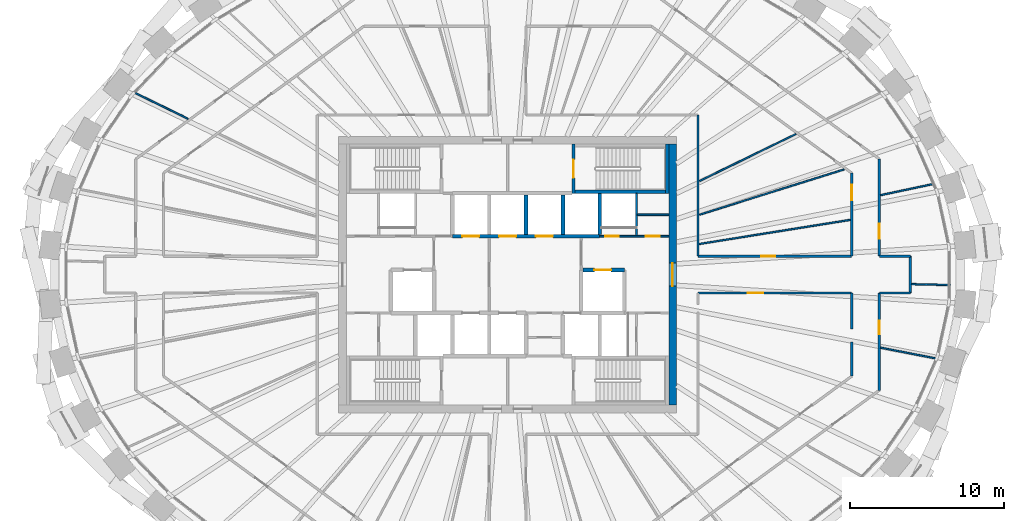
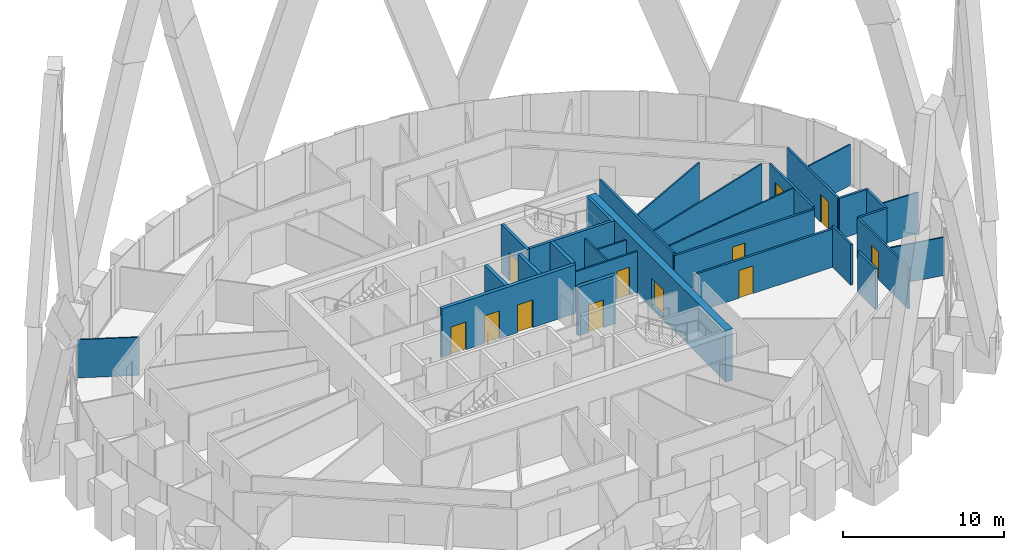
# One storey, part 10 of 13: 30 walls, 13 doors, 13 openings.
"""IFC4 building model written with IfcOpenShell, lengths in metres."""

from ifc_helpers import new_model, si_unit, direction, frame, frame_2d, origin, place, context, subcontext, project, spatial, rectangle, extrude, source, transform, mapped, material, layer, layer_set, type_object, element, fill, save


model = new_model("IFC4")

# Units and contexts
model_context = context("Model", 3, precision=1e-05, world=origin(), true_north=direction((0.0, 1.0)))
body_context = subcontext(model_context, "Body", "Model", "MODEL_VIEW")
ifc_project = project(units=[si_unit("LENGTHUNIT", "METRE"), si_unit("AREAUNIT", "SQUARE_METRE"), si_unit("VOLUMEUNIT", "CUBIC_METRE"), si_unit("PLANEANGLEUNIT", "RADIAN"), si_unit("MASSUNIT", "GRAM", prefix="KILO")], contexts=[model_context])

# Site, building, storey
site_placement = place(None, origin())
site = spatial("IfcSite", under=ifc_project, at=site_placement, CompositionType="ELEMENT")
building_placement = place(site_placement, origin())
building = spatial("IfcBuilding", under=site, at=building_placement, Name="Embergate Tower", CompositionType="ELEMENT")
storey_placement = place(building_placement, frame((0.0, 0.0, 316.89990234375)))
storey = spatial("IfcBuildingStorey", under=building, at=storey_placement, Name="L74", CompositionType="ELEMENT", Elevation=316.89990234375)

# Wall, opening, door
ifc_material_1 = material(Name="Concrete C50", Category="concrete")
ifc_layer_1 = layer(ifc_material_1, 0.5)
ifc_layer_set_1 = layer_set([ifc_layer_1], Name="Concrete C50")
wall_type_1 = type_object("IfcWallType", Name="Core outer wall C50 500", PredefinedType="SHEAR", material=ifc_layer_set_1)
shared_shape_1 = source(origin(), body_context, "Body", "SweptSolid", [
    extrude(rectangle(XDim=17.0, YDim=0.5, at=frame_2d((8.5, 0.0))), origin(), (0.0, 0.0, 1.0), 3.900146484375),
])
wall_1_placement = place(storey_placement, frame((10.75, -8.5, -0.199951171875), z_axis=(0.0, 0.0, 1.0), x_axis=(0.0, 1.0, 0.0)))
wall_1 = element("IfcWall", 1, at=wall_1_placement, inside=storey, type_object=wall_type_1, Name="CW-L74-E", PredefinedType="SHEAR", context=body_context, shape_type="MappedRepresentation", body=[
    mapped(shared_shape_1, transform((0.0, 0.0, 0.0))),
])
shared_shape_2 = source(origin(), body_context, "Body", "SweptSolid", [
    extrude(rectangle(XDim=1.5, YDim=2.10009765625, at=frame_2d((0.75, 1.050048828125))), frame((0.0, 0.260009765625, 0.0), z_axis=(0.0, -1.0, 0.0), x_axis=(1.0, 0.0, 0.0)), (0.0, 0.0, 1.0), 0.52001953125),
])
opening_1_placement = place(wall_1_placement, frame((7.75, 0.0, 0.199951171875)))
opening_1 = element("IfcOpeningElement", 2, at=opening_1_placement, cuts=wall_1, Name="Opening IF-3", PredefinedType="OPENING", context=body_context, shape_type="MappedRepresentation", body=[
    mapped(shared_shape_2, transform((0.0, 0.0, 0.0))),
])
ifc_material_2 = material(Name="Lobby fire door pair 1500")
door_type_1 = type_object("IfcDoorType", Name="Lobby fire door pair 1500", OperationType="DOUBLE_DOOR_SINGLE_SWING", PredefinedType="DOOR", material=ifc_material_2)
shared_shape_3 = source(origin(), body_context, "Body", "SweptSolid", [
    extrude(rectangle(XDim=1.5, YDim=2.10009765625, at=frame_2d((0.75, 1.050048828125))), frame((0.0, 0.02490234375, 0.0), z_axis=(0.0, -1.0, 0.0), x_axis=(1.0, 0.0, 0.0)), (0.0, 0.0, 1.0), 0.050048828125),
])
door_1_placement = place(opening_1_placement, origin())
door_1 = element("IfcDoor", 3, at=door_1_placement, inside=storey, type_object=door_type_1, Name="IF-3 door", OperationType="DOUBLE_DOOR_SINGLE_SWING", OverallHeight=2.10009765625, OverallWidth=1.5, PredefinedType="DOOR", context=body_context, shape_type="MappedRepresentation", body=[
    mapped(shared_shape_3, transform((0.0, 0.0, 0.0))),
])
fill(opening_1, door_1)

# Wall
ifc_layer_2 = layer(ifc_material_1, 0.25)
ifc_layer_set_2 = layer_set([ifc_layer_2], Name="Concrete C50")
wall_type_2 = type_object("IfcWallType", Name="Hoistway wall reinforced concrete 250", PredefinedType="SHEAR", material=ifc_layer_set_2)
shared_shape_4 = source(origin(), body_context, "Body", "SweptSolid", [
    extrude(rectangle(XDim=2.675048828125, YDim=0.25, at=frame_2d((1.33740234375, 0.0))), origin(), (0.0, 0.0, 1.0), 3.7001953125),
])
wall_2_placement = place(storey_placement, frame((6.0, 2.625, 0.0), z_axis=(0.0, 0.0, 1.0), x_axis=(0.0, 1.0, 0.0)))
element("IfcWall", 4, at=wall_2_placement, inside=storey, type_object=wall_type_2, Name="HW-1 wall", PredefinedType="SHEAR", context=body_context, shape_type="MappedRepresentation", body=[
    mapped(shared_shape_4, transform((0.0, 0.0, 0.0))),
])

# Wall, opening, door
wall_3_placement = place(storey_placement, frame((7.60009765625, 0.300048828125, 0.0), z_axis=(0.0, 0.0, 1.0), x_axis=(-1.0, 0.0, 0.0)))
wall_3 = element("IfcWall", 5, at=wall_3_placement, inside=storey, type_object=wall_type_2, Name="HW-1 wall", PredefinedType="SHEAR", context=body_context, shape_type="MappedRepresentation", body=[
    mapped(shared_shape_4, transform((0.0, 0.0, 0.0))),
])
shared_shape_5 = source(origin(), body_context, "Body", "SweptSolid", [
    extrude(rectangle(XDim=1.10009765625, YDim=2.10009765625, at=frame_2d((0.550048828125, 1.050048828125))), frame((0.0, 0.135009765625, 0.0), z_axis=(0.0, -1.0, 0.0), x_axis=(1.0, 0.0, 0.0)), (0.0, 0.0, 1.0), 0.27001953125),
])
opening_2_placement = place(wall_3_placement, frame((0.85009765625, 0.0, 0.0)))
opening_2 = element("IfcOpeningElement", 6, at=opening_2_placement, cuts=wall_3, Name="Opening LD", PredefinedType="OPENING", context=body_context, shape_type="MappedRepresentation", body=[
    mapped(shared_shape_5, transform((0.0, 0.0, 0.0))),
])
ifc_material_3 = material(Name="Landing door sliding 1100")
door_type_2 = type_object("IfcDoorType", Name="Landing door sliding 1100", OperationType="SLIDING_TO_LEFT", PredefinedType="DOOR", material=ifc_material_3)
shared_shape_6 = source(origin(), body_context, "Body", "SweptSolid", [
    extrude(rectangle(XDim=1.10009765625, YDim=2.10009765625, at=frame_2d((0.550048828125, 1.050048828125))), frame((0.0, 0.02490234375, 0.0), z_axis=(0.0, -1.0, 0.0), x_axis=(1.0, 0.0, 0.0)), (0.0, 0.0, 1.0), 0.050048828125),
])
door_2_placement = place(opening_2_placement, origin())
door_2 = element("IfcDoor", 7, at=door_2_placement, inside=storey, type_object=door_type_2, Name="LD door", OperationType="SLIDING_TO_LEFT", OverallHeight=2.10009765625, OverallWidth=1.10009765625, PredefinedType="DOOR", context=body_context, shape_type="MappedRepresentation", body=[
    mapped(shared_shape_6, transform((0.0, 0.0, 0.0))),
])
fill(opening_2, door_2)

# Walls
ifc_layer_3 = layer(ifc_material_1, 0.199951171875)
ifc_layer_set_3 = layer_set([ifc_layer_3], Name="Concrete C50")
wall_type_3 = type_object("IfcWallType", Name="Stair enclosure wall reinforced concrete 250", PredefinedType="SHEAR", material=ifc_layer_set_3)
shared_shape_7 = source(origin(), body_context, "Body", "SweptSolid", [
    extrude(rectangle(XDim=6.300048828125, YDim=0.199951171875, at=frame_2d((3.14990234375, 0.0))), origin(), (0.0, 0.0, 1.0), 3.7001953125),
])
wall_4_placement = place(storey_placement, frame((10.5, 5.39990234375, 0.0), z_axis=(0.0, 0.0, 1.0), x_axis=(-1.0, 0.0, 0.0)))
element("IfcWall", 8, at=wall_4_placement, inside=storey, type_object=wall_type_3, Name="SE-1 wall", PredefinedType="SHEAR", context=body_context, shape_type="MappedRepresentation", body=[
    mapped(shared_shape_7, transform((0.0, 0.0, 0.0))),
])
shared_shape_8 = source(origin(), body_context, "Body", "SweptSolid", [
    extrude(rectangle(XDim=2.550048828125, YDim=0.25, at=frame_2d((1.27490234375, 0.0))), origin(), (0.0, 0.0, 1.0), 3.7001953125),
])
for number, where, z_axis, x_axis, name in (
    (9, (1.199951171875, 2.625, 0.0), (0.0, 0.0, 1.0), (0.0, 1.0, 0.0), "HW-1 wall"),
    (10, (3.60009765625, 2.625, 0.0), (0.0, 0.0, 1.0), (0.0, 1.0, 0.0), "HW-1 wall"),
):
    element("IfcWall", number, at=place(storey_placement, frame(where, z_axis=z_axis, x_axis=x_axis)), inside=storey, type_object=wall_type_2, Name=name, PredefinedType="SHEAR", context=body_context, shape_type="MappedRepresentation", body=[
        mapped(shared_shape_8, transform((0.0, 0.0, 0.0))),
    ])

# Wall, opening, door
shared_shape_9 = source(origin(), body_context, "Body", "SweptSolid", [
    extrude(rectangle(XDim=3.199951171875, YDim=0.199951171875, at=frame_2d((1.60009765625, 0.0))), origin(), (0.0, 0.0, 1.0), 3.7001953125),
])
wall_5_placement = place(storey_placement, frame((4.300048828125, 8.5, 0.0), z_axis=(0.0, 0.0, 1.0), x_axis=(0.0, -1.0, 0.0)))
wall_5 = element("IfcWall", 11, at=wall_5_placement, inside=storey, type_object=wall_type_3, Name="SE-1 wall", PredefinedType="SHEAR", context=body_context, shape_type="MappedRepresentation", body=[
    mapped(shared_shape_9, transform((0.0, 0.0, 0.0))),
])
shared_shape_10 = source(origin(), body_context, "Body", "SweptSolid", [
    extrude(rectangle(XDim=1.199951171875, YDim=2.10009765625, at=frame_2d((0.60009765625, 1.050048828125))), frame((0.0, 0.10986328125, 0.0), z_axis=(0.0, -1.0, 0.0), x_axis=(1.0, 0.0, 0.0)), (0.0, 0.0, 1.0), 0.219970703125),
])
opening_3_placement = place(wall_5_placement, frame((1.0, 0.0, 0.0)))
opening_3 = element("IfcOpeningElement", 12, at=opening_3_placement, cuts=wall_5, Name="Opening IF-2", PredefinedType="OPENING", context=body_context, shape_type="MappedRepresentation", body=[
    mapped(shared_shape_10, transform((0.0, 0.0, 0.0))),
])
ifc_material_4 = material(Name="Stair enclosure door 1200")
door_type_3 = type_object("IfcDoorType", Name="Stair enclosure door 1200", OperationType="SINGLE_SWING_LEFT", PredefinedType="DOOR", material=ifc_material_4)
shared_shape_11 = source(origin(), body_context, "Body", "SweptSolid", [
    extrude(rectangle(XDim=1.199951171875, YDim=2.10009765625, at=frame_2d((0.60009765625, 1.050048828125))), frame((0.0, 0.02490234375, 0.0), z_axis=(0.0, -1.0, 0.0), x_axis=(1.0, 0.0, 0.0)), (0.0, 0.0, 1.0), 0.050048828125),
])
door_3_placement = place(opening_3_placement, origin())
door_3 = element("IfcDoor", 13, at=door_3_placement, inside=storey, type_object=door_type_3, Name="IF-2 door", OperationType="SINGLE_SWING_RIGHT", OverallHeight=2.10009765625, OverallWidth=1.199951171875, PredefinedType="DOOR", context=body_context, shape_type="MappedRepresentation", body=[
    mapped(shared_shape_11, transform((0.0, 0.0, 0.0))),
])
fill(opening_3, door_3)

# Walls
wall_6_placement = place(storey_placement, frame((10.39990234375, 5.300048828125, 0.0), z_axis=(0.0, 0.0, 1.0), x_axis=(0.0, 1.0, 0.0)))
element("IfcWall", 14, at=wall_6_placement, inside=storey, type_object=wall_type_3, Name="SE-1 wall", PredefinedType="SHEAR", context=body_context, shape_type="MappedRepresentation", body=[
    mapped(shared_shape_9, transform((0.0, 0.0, 0.0))),
])
ifc_material_5 = material(Name="Corridor wall dry-lined 150")
ifc_layer_4 = layer(ifc_material_5, 0.14990234375)
ifc_layer_set_4 = layer_set([ifc_layer_4], Name="Corridor wall dry-lined 150")
wall_type_4 = type_object("IfcWallType", Name="Corridor wall dry-lined 150", PredefinedType="PARTITIONING", material=ifc_layer_set_4)
shared_shape_12 = source(origin(), body_context, "Body", "SweptSolid", [
    extrude(rectangle(XDim=9.199951171875, YDim=0.14990234375, at=frame_2d((4.60009765625, 0.0))), origin(), (0.0, 0.0, 1.0), 3.10009765625),
])
wall_7_placement = place(storey_placement, frame((12.39990234375, 10.39990234375, 0.0), z_axis=(0.0, 0.0, 1.0), x_axis=(0.0, -1.0, 0.0)))
element("IfcWall", 15, at=wall_7_placement, inside=storey, type_object=wall_type_4, Name="IP-2 wall", PredefinedType="PARTITIONING", context=body_context, shape_type="MappedRepresentation", body=[
    mapped(shared_shape_12, transform((0.0, 0.0, 0.0))),
])
shared_shape_13 = source(origin(), body_context, "Body", "SweptSolid", [
    extrude(rectangle(XDim=2.39990234375, YDim=0.14990234375, at=frame_2d((1.199951171875, 0.0))), origin(), (0.0, 0.0, 1.0), 3.10009765625),
])
wall_8_placement = place(storey_placement, frame((26.238037109375, 1.199951171875, 0.0), z_axis=(0.0, 0.0, 1.0), x_axis=(0.0, -1.0, 0.0)))
element("IfcWall", 16, at=wall_8_placement, inside=storey, type_object=wall_type_4, Name="IP-2 wall", PredefinedType="PARTITIONING", context=body_context, shape_type="MappedRepresentation", body=[
    mapped(shared_shape_13, transform((0.0, 0.0, 0.0))),
])

# Wall, openings, doors
ifc_material_6 = material(Name="Core partition blockwork 120")
ifc_layer_5 = layer(ifc_material_6, 0.1201171875)
ifc_layer_set_5 = layer_set([ifc_layer_5], Name="Core partition blockwork 120")
wall_type_5 = type_object("IfcWallType", Name="Core partition blockwork 120", PredefinedType="PARTITIONING", material=ifc_layer_set_5)
shared_shape_14 = source(origin(), body_context, "Body", "SweptSolid", [
    extrude(rectangle(XDim=4.5, YDim=0.1201171875, at=frame_2d((2.25, 0.0))), origin(), (0.0, 0.0, 1.0), 3.10009765625),
])
wall_9_placement = place(storey_placement, frame((6.0, 2.5, 0.0), z_axis=(0.0, 0.0, 1.0), x_axis=(1.0, 0.0, 0.0)))
wall_9 = element("IfcWall", 17, at=wall_9_placement, inside=storey, type_object=wall_type_5, Name="IP-3 wall", PredefinedType="PARTITIONING", context=body_context, shape_type="MappedRepresentation", body=[
    mapped(shared_shape_14, transform((0.0, 0.0, 0.0))),
])
shared_shape_15 = source(origin(), body_context, "Body", "SweptSolid", [
    extrude(rectangle(XDim=0.89990234375, YDim=2.10009765625, at=frame_2d((0.449951171875, 1.050048828125))), frame((0.0, 0.070068359375, 0.0), z_axis=(0.0, -1.0, 0.0), x_axis=(1.0, 0.0, 0.0)), (0.0, 0.0, 1.0), 0.14013671875),
])
opening_4_placement = place(wall_9_placement, frame((0.35009765625, 0.0, 0.0)))
opening_4 = element("IfcOpeningElement", 18, at=opening_4_placement, cuts=wall_9, Name="Opening ID-1", PredefinedType="OPENING", context=body_context, shape_type="MappedRepresentation", body=[
    mapped(shared_shape_15, transform((0.0, 0.0, 0.0))),
])
opening_5_placement = place(wall_9_placement, frame((3.0, 0.0, 0.0)))
opening_5 = element("IfcOpeningElement", 19, at=opening_5_placement, cuts=wall_9, Name="Opening ID-1", PredefinedType="OPENING", context=body_context, shape_type="MappedRepresentation", body=[
    mapped(shared_shape_15, transform((0.0, 0.0, 0.0))),
])
ifc_material_7 = material(Name="Interior door 900")
door_type_4 = type_object("IfcDoorType", Name="Interior door 900", OperationType="SINGLE_SWING_LEFT", PredefinedType="DOOR", material=ifc_material_7)
shared_shape_16 = source(origin(), body_context, "Body", "SweptSolid", [
    extrude(rectangle(XDim=0.89990234375, YDim=2.10009765625, at=frame_2d((0.449951171875, 1.050048828125))), frame((0.0, 0.02490234375, 0.0), z_axis=(0.0, -1.0, 0.0), x_axis=(1.0, 0.0, 0.0)), (0.0, 0.0, 1.0), 0.050048828125),
])
door_4_placement = place(opening_4_placement, origin())
door_4 = element("IfcDoor", 20, at=door_4_placement, inside=storey, type_object=door_type_4, Name="ID-1 door", OperationType="SINGLE_SWING_RIGHT", OverallHeight=2.10009765625, OverallWidth=0.89990234375, PredefinedType="DOOR", context=body_context, shape_type="MappedRepresentation", body=[
    mapped(shared_shape_16, transform((0.0, 0.0, 0.0))),
])
fill(opening_4, door_4)
door_5_placement = place(opening_5_placement, origin())
door_5 = element("IfcDoor", 21, at=door_5_placement, inside=storey, type_object=door_type_4, Name="ID-1 door", OperationType="SINGLE_SWING_RIGHT", OverallHeight=2.10009765625, OverallWidth=0.89990234375, PredefinedType="DOOR", context=body_context, shape_type="MappedRepresentation", body=[
    mapped(shared_shape_16, transform((0.0, 0.0, 0.0))),
])
fill(opening_5, door_5)

# Walls
shared_shape_17 = source(origin(), body_context, "Body", "SweptSolid", [
    extrude(rectangle(XDim=2.738037109375, YDim=0.1201171875, at=frame_2d((1.369140625, 0.0))), origin(), (0.0, 0.0, 1.0), 3.10009765625),
])
wall_10_placement = place(storey_placement, frame((8.39990234375, 2.56005859375, 0.0), z_axis=(0.0, 0.0, 1.0), x_axis=(0.0, 1.0, 0.0)))
element("IfcWall", 22, at=wall_10_placement, inside=storey, type_object=wall_type_5, Name="IP-3 wall", PredefinedType="PARTITIONING", context=body_context, shape_type="MappedRepresentation", body=[
    mapped(shared_shape_17, transform((0.0, 0.0, 0.0))),
])
shared_shape_18 = source(origin(), body_context, "Body", "SweptSolid", [
    extrude(rectangle(XDim=2.0380859375, YDim=0.1201171875, at=frame_2d((1.01904296875, 0.0))), origin(), (0.0, 0.0, 1.0), 3.10009765625),
])
wall_11_placement = place(storey_placement, frame((10.5, 3.89990234375, 0.0), z_axis=(0.0, 0.0, 1.0), x_axis=(-1.0, 0.0, 0.0)))
element("IfcWall", 23, at=wall_11_placement, inside=storey, type_object=wall_type_5, Name="IP-3 wall", PredefinedType="PARTITIONING", context=body_context, shape_type="MappedRepresentation", body=[
    mapped(shared_shape_18, transform((0.0, 0.0, 0.0))),
])

# Wall, openings, doors
shared_shape_19 = source(origin(), body_context, "Body", "SweptSolid", [
    extrude(rectangle(XDim=9.60009765625, YDim=0.25, at=frame_2d((4.800048828125, 0.0))), origin(), (0.0, 0.0, 1.0), 3.7001953125),
])
wall_12_placement = place(storey_placement, frame((-3.60009765625, 2.5, 0.0), z_axis=(0.0, 0.0, 1.0), x_axis=(1.0, 0.0, 0.0)))
wall_12 = element("IfcWall", 24, at=wall_12_placement, inside=storey, type_object=wall_type_2, Name="HW-1 wall", PredefinedType="SHEAR", context=body_context, shape_type="MappedRepresentation", body=[
    mapped(shared_shape_19, transform((0.0, 0.0, 0.0))),
])
opening_6_placement = place(wall_12_placement, frame((0.64990234375, 0.0, 0.0)))
opening_6 = element("IfcOpeningElement", 25, at=opening_6_placement, cuts=wall_12, Name="Opening LD", PredefinedType="OPENING", context=body_context, shape_type="MappedRepresentation", body=[
    mapped(shared_shape_5, transform((0.0, 0.0, 0.0))),
])
opening_7_placement = place(wall_12_placement, frame((3.050048828125, 0.0, 0.0)))
opening_7 = element("IfcOpeningElement", 26, at=opening_7_placement, cuts=wall_12, Name="Opening LD", PredefinedType="OPENING", context=body_context, shape_type="MappedRepresentation", body=[
    mapped(shared_shape_5, transform((0.0, 0.0, 0.0))),
])
opening_8_placement = place(wall_12_placement, frame((5.449951171875, 0.0, 0.0)))
opening_8 = element("IfcOpeningElement", 27, at=opening_8_placement, cuts=wall_12, Name="Opening LD", PredefinedType="OPENING", context=body_context, shape_type="MappedRepresentation", body=[
    mapped(shared_shape_5, transform((0.0, 0.0, 0.0))),
])
door_6_placement = place(opening_6_placement, origin())
door_6 = element("IfcDoor", 28, at=door_6_placement, inside=storey, type_object=door_type_2, Name="LD door", OperationType="SLIDING_TO_LEFT", OverallHeight=2.10009765625, OverallWidth=1.10009765625, PredefinedType="DOOR", context=body_context, shape_type="MappedRepresentation", body=[
    mapped(shared_shape_6, transform((0.0, 0.0, 0.0))),
])
fill(opening_6, door_6)
door_7_placement = place(opening_7_placement, origin())
door_7 = element("IfcDoor", 29, at=door_7_placement, inside=storey, type_object=door_type_2, Name="LD door", OperationType="SLIDING_TO_LEFT", OverallHeight=2.10009765625, OverallWidth=1.10009765625, PredefinedType="DOOR", context=body_context, shape_type="MappedRepresentation", body=[
    mapped(shared_shape_6, transform((0.0, 0.0, 0.0))),
])
fill(opening_7, door_7)
door_8_placement = place(opening_8_placement, origin())
door_8 = element("IfcDoor", 30, at=door_8_placement, inside=storey, type_object=door_type_2, Name="LD door", OperationType="SLIDING_TO_RIGHT", OverallHeight=2.10009765625, OverallWidth=1.10009765625, PredefinedType="DOOR", context=body_context, shape_type="MappedRepresentation", body=[
    mapped(shared_shape_6, transform((0.0, 0.0, 0.0))),
])
fill(opening_8, door_8)

# Wall, opening, door
shared_shape_20 = source(origin(), body_context, "Body", "SweptSolid", [
    extrude(rectangle(XDim=6.3330078125, YDim=0.14990234375, at=frame_2d((3.16650390625, 0.0))), origin(), (0.0, 0.0, 1.0), 3.10009765625),
])
wall_13_placement = place(storey_placement, frame((24.217041015625, -1.199951171875, 0.0), z_axis=(0.0, 0.0, 1.0), x_axis=(0.0, -1.0, 0.0)))
wall_13 = element("IfcWall", 31, at=wall_13_placement, inside=storey, type_object=wall_type_4, Name="IP-2 wall", PredefinedType="PARTITIONING", context=body_context, shape_type="MappedRepresentation", body=[
    mapped(shared_shape_20, transform((0.0, 0.0, 0.0))),
])
shared_shape_21 = source(origin(), body_context, "Body", "SweptSolid", [
    extrude(rectangle(XDim=0.89990234375, YDim=2.10009765625, at=frame_2d((0.449951171875, 1.050048828125))), frame((0.0, 0.0849609375, 0.0), z_axis=(0.0, -1.0, 0.0), x_axis=(1.0, 0.0, 0.0)), (0.0, 0.0, 1.0), 0.169921875),
])
opening_9_placement = place(wall_13_placement, frame((1.7890625, 0.0, 0.0)))
opening_9 = element("IfcOpeningElement", 32, at=opening_9_placement, cuts=wall_13, Name="Opening IF-1c", PredefinedType="OPENING", context=body_context, shape_type="MappedRepresentation", body=[
    mapped(shared_shape_21, transform((0.0, 0.0, 0.0))),
])
ifc_material_8 = material(Name="Escape fire door 900")
door_type_5 = type_object("IfcDoorType", Name="Escape fire door 900", OperationType="SINGLE_SWING_LEFT", PredefinedType="DOOR", material=ifc_material_8)
door_9_placement = place(opening_9_placement, origin())
door_9 = element("IfcDoor", 33, at=door_9_placement, inside=storey, type_object=door_type_5, Name="IF-1 door", OperationType="SINGLE_SWING_LEFT", OverallHeight=2.10009765625, OverallWidth=0.89990234375, PredefinedType="DOOR", context=body_context, shape_type="MappedRepresentation", body=[
    mapped(shared_shape_16, transform((0.0, 0.0, 0.0))),
])
fill(opening_9, door_9)

wall_14_placement = place(storey_placement, frame((24.217041015625, 7.532958984375, 0.0), z_axis=(0.0, 0.0, 1.0), x_axis=(0.0, -1.0, 0.0)))
wall_14 = element("IfcWall", 34, at=wall_14_placement, inside=storey, type_object=wall_type_4, Name="IP-2 wall", PredefinedType="PARTITIONING", context=body_context, shape_type="MappedRepresentation", body=[
    mapped(shared_shape_20, transform((0.0, 0.0, 0.0))),
])
shared_shape_22 = source(origin(), body_context, "Body", "SweptSolid", [
    extrude(rectangle(XDim=1.0, YDim=2.10009765625, at=frame_2d((0.5, 1.050048828125))), frame((0.0, 0.0849609375, 0.0), z_axis=(0.0, -1.0, 0.0), x_axis=(1.0, 0.0, 0.0)), (0.0, 0.0, 1.0), 0.169921875),
])
opening_10_placement = place(wall_14_placement, frame((4.20751953125, 0.0, 0.0)))
opening_10 = element("IfcOpeningElement", 35, at=opening_10_placement, cuts=wall_14, Name="Opening ID-2", PredefinedType="OPENING", context=body_context, shape_type="MappedRepresentation", body=[
    mapped(shared_shape_22, transform((0.0, 0.0, 0.0))),
])
ifc_material_9 = material(Name="Interior door 1000")
door_type_6 = type_object("IfcDoorType", Name="Interior door 1000", OperationType="SINGLE_SWING_LEFT", PredefinedType="DOOR", material=ifc_material_9)
shared_shape_23 = source(origin(), body_context, "Body", "SweptSolid", [
    extrude(rectangle(XDim=1.0, YDim=2.10009765625, at=frame_2d((0.5, 1.050048828125))), frame((0.0, 0.02490234375, 0.0), z_axis=(0.0, -1.0, 0.0), x_axis=(1.0, 0.0, 0.0)), (0.0, 0.0, 1.0), 0.050048828125),
])
door_10_placement = place(opening_10_placement, origin())
door_10 = element("IfcDoor", 36, at=door_10_placement, inside=storey, type_object=door_type_6, Name="ID-2 door", OperationType="SINGLE_SWING_LEFT", OverallHeight=2.10009765625, OverallWidth=1.0, PredefinedType="DOOR", context=body_context, shape_type="MappedRepresentation", body=[
    mapped(shared_shape_23, transform((0.0, 0.0, 0.0))),
])
fill(opening_10, door_10)

shared_shape_24 = source(origin(), body_context, "Body", "SweptSolid", [
    extrude(rectangle(XDim=5.420166015625, YDim=0.14990234375, at=frame_2d((2.7099609375, 0.0))), origin(), (0.0, 0.0, 1.0), 3.10009765625),
])
wall_15_placement = place(storey_placement, frame((22.4169921875, 1.199951171875, 0.0), z_axis=(0.0, 0.0, 1.0), x_axis=(0.0, 1.0, 0.0)))
wall_15 = element("IfcWall", 37, at=wall_15_placement, inside=storey, type_object=wall_type_4, Name="IP-2 wall", PredefinedType="PARTITIONING", context=body_context, shape_type="MappedRepresentation", body=[
    mapped(shared_shape_24, transform((0.0, 0.0, 0.0))),
])
opening_11_placement = place(wall_15_placement, frame((3.658935546875, 0.0, 0.0)))
opening_11 = element("IfcOpeningElement", 38, at=opening_11_placement, cuts=wall_15, Name="Opening ID-2", PredefinedType="OPENING", context=body_context, shape_type="MappedRepresentation", body=[
    mapped(shared_shape_22, transform((0.0, 0.0, 0.0))),
])
door_11_placement = place(opening_11_placement, origin())
door_11 = element("IfcDoor", 39, at=door_11_placement, inside=storey, type_object=door_type_6, Name="ID-2 door", OperationType="SINGLE_SWING_LEFT", OverallHeight=2.10009765625, OverallWidth=1.0, PredefinedType="DOOR", context=body_context, shape_type="MappedRepresentation", body=[
    mapped(shared_shape_23, transform((0.0, 0.0, 0.0))),
])
fill(opening_11, door_11)

# Walls
shared_shape_25 = source(origin(), body_context, "Body", "SweptSolid", [
    extrude(rectangle(XDim=2.232177734375, YDim=0.14990234375, at=frame_2d((1.1162109375, 0.0))), origin(), (0.0, 0.0, 1.0), 3.10009765625),
])
wall_16_placement = place(storey_placement, frame((22.4169921875, -6.6201171875, 0.0), z_axis=(0.0, 0.0, 1.0), x_axis=(0.0, 1.0, 0.0)))
element("IfcWall", 40, at=wall_16_placement, inside=storey, type_object=wall_type_4, Name="IP-2 wall", PredefinedType="PARTITIONING", context=body_context, shape_type="MappedRepresentation", body=[
    mapped(shared_shape_25, transform((0.0, 0.0, 0.0))),
])
shared_shape_26 = source(origin(), body_context, "Body", "SweptSolid", [
    extrude(rectangle(XDim=2.02099609375, YDim=0.14990234375, at=frame_2d((1.010498046875, 0.0))), origin(), (0.0, 0.0, 1.0), 3.10009765625),
])
for number, where, z_axis, x_axis, name in (
    (41, (26.238037109375, -1.199951171875, 0.0), (0.0, 0.0, 1.0), (-1.0, 0.0, 0.0), "IP-2 wall"),
    (42, (24.217041015625, 1.199951171875, 0.0), (0.0, 0.0, 1.0), (1.0, 0.0, 0.0), "IP-2 wall"),
):
    element("IfcWall", number, at=place(storey_placement, frame(where, z_axis=z_axis, x_axis=x_axis)), inside=storey, type_object=wall_type_4, Name=name, PredefinedType="PARTITIONING", context=body_context, shape_type="MappedRepresentation", body=[
        mapped(shared_shape_26, transform((0.0, 0.0, 0.0))),
    ])

# Wall, opening, door
shared_shape_27 = source(origin(), body_context, "Body", "SweptSolid", [
    extrude(rectangle(XDim=10.01708984375, YDim=0.14990234375, at=frame_2d((5.008544921875, 0.0))), origin(), (0.0, 0.0, 1.0), 2.900146484375),
])
wall_17_placement = place(storey_placement, frame((12.39990234375, 1.199951171875, 0.0), z_axis=(0.0, 0.0, 1.0), x_axis=(1.0, 0.0, 0.0)))
wall_17 = element("IfcWall", 43, at=wall_17_placement, inside=storey, type_object=wall_type_4, Name="IP-2 wall", PredefinedType="PARTITIONING", context=body_context, shape_type="MappedRepresentation", body=[
    mapped(shared_shape_27, transform((0.0, 0.0, 0.0))),
])
opening_12_placement = place(wall_17_placement, frame((4.133056640625, 0.0, 0.0)))
opening_12 = element("IfcOpeningElement", 44, at=opening_12_placement, cuts=wall_17, Name="Opening IF-1c", PredefinedType="OPENING", context=body_context, shape_type="MappedRepresentation", body=[
    mapped(shared_shape_21, transform((0.0, 0.0, 0.0))),
])
door_12_placement = place(opening_12_placement, origin())
door_12 = element("IfcDoor", 45, at=door_12_placement, inside=storey, type_object=door_type_5, Name="IF-1 door", OperationType="SINGLE_SWING_LEFT", OverallHeight=2.10009765625, OverallWidth=0.89990234375, PredefinedType="DOOR", context=body_context, shape_type="MappedRepresentation", body=[
    mapped(shared_shape_16, transform((0.0, 0.0, 0.0))),
])
fill(opening_12, door_12)

wall_18_placement = place(storey_placement, frame((22.4169921875, -1.199951171875, 0.0), z_axis=(0.0, 0.0, 1.0), x_axis=(-1.0, 0.0, 0.0)))
wall_18 = element("IfcWall", 46, at=wall_18_placement, inside=storey, type_object=wall_type_4, Name="IP-2 wall", PredefinedType="PARTITIONING", context=body_context, shape_type="MappedRepresentation", body=[
    mapped(shared_shape_27, transform((0.0, 0.0, 0.0))),
])
opening_13_placement = place(wall_18_placement, frame((5.77099609375, 0.0, 0.0)))
opening_13 = element("IfcOpeningElement", 47, at=opening_13_placement, cuts=wall_18, Name="Opening ID-2", PredefinedType="OPENING", context=body_context, shape_type="MappedRepresentation", body=[
    mapped(shared_shape_22, transform((0.0, 0.0, 0.0))),
])
door_13_placement = place(opening_13_placement, origin())
door_13 = element("IfcDoor", 48, at=door_13_placement, inside=storey, type_object=door_type_6, Name="ID-2 door", OperationType="SINGLE_SWING_RIGHT", OverallHeight=2.10009765625, OverallWidth=1.0, PredefinedType="DOOR", context=body_context, shape_type="MappedRepresentation", body=[
    mapped(shared_shape_23, transform((0.0, 0.0, 0.0))),
])
fill(opening_13, door_13)

# Walls
shared_shape_28 = source(origin(), body_context, "Body", "SweptSolid", [
    extrude(rectangle(XDim=2.340087890625, YDim=0.14990234375, at=frame_2d((1.169921875, 0.0))), origin(), (0.0, 0.0, 1.0), 3.10009765625),
])
wall_19_placement = place(storey_placement, frame((22.4169921875, -3.5400390625, 0.0), z_axis=(0.0, 0.0, 1.0), x_axis=(0.0, 1.0, 0.0)))
element("IfcWall", 49, at=wall_19_placement, inside=storey, type_object=wall_type_4, Name="IP-2 wall", PredefinedType="PARTITIONING", context=body_context, shape_type="MappedRepresentation", body=[
    mapped(shared_shape_28, transform((0.0, 0.0, 0.0))),
])
ifc_material_10 = material(Name="Partition dry-lined 100")
ifc_layer_6 = layer(ifc_material_10, 0.10009765625)
ifc_layer_set_6 = layer_set([ifc_layer_6], Name="Partition dry-lined 100")
wall_type_6 = type_object("IfcWallType", Name="Partition dry-lined 100", PredefinedType="PARTITIONING", material=ifc_layer_set_6)
shared_shape_29 = source(origin(), body_context, "Body", "SweptSolid", [
    extrude(rectangle(XDim=3.702880859375, YDim=0.10009765625, at=frame_2d((1.8515625, 0.0))), origin(), (0.0, 0.0, 1.0), 2.900146484375),
])
wall_20_placement = place(storey_placement, frame((27.93603515625, -5.468017578125, 0.0), z_axis=(0.0, 0.0, 1.0), x_axis=(-0.981396165862, 0.191993660396, 0.0)))
element("IfcWall", 50, at=wall_20_placement, inside=storey, type_object=wall_type_6, Name="IP-1 wall", PredefinedType="PARTITIONING", context=body_context, shape_type="MappedRepresentation", body=[
    mapped(shared_shape_29, transform((0.0, 0.0, 0.0))),
])
shared_shape_30 = source(origin(), body_context, "Body", "SweptSolid", [
    extrude(rectangle(XDim=2.509765625, YDim=0.10009765625, at=frame_2d((1.2548828125, 0.0))), origin(), (0.0, 0.0, 1.0), 3.10009765625),
])
wall_21_placement = place(storey_placement, frame((26.31298828125, -0.6201171875, 0.0), z_axis=(0.0, 0.0, 1.0), x_axis=(0.999715956803, -0.023832870431, 0.0)))
element("IfcWall", 51, at=wall_21_placement, inside=storey, type_object=wall_type_6, Name="IP-1 wall", PredefinedType="PARTITIONING", context=body_context, shape_type="MappedRepresentation", body=[
    mapped(shared_shape_30, transform((0.0, 0.0, 0.0))),
])
shared_shape_31 = source(origin(), body_context, "Body", "SweptSolid", [
    extrude(rectangle(XDim=3.5498046875, YDim=0.10009765625, at=frame_2d((1.77490234375, 0.0))), origin(), (0.0, 0.0, 1.0), 3.10009765625),
])
wall_22_placement = place(storey_placement, frame((24.302001953125, 5.175048828125, 0.0), z_axis=(0.0, 0.0, 1.0), x_axis=(0.978088351278, 0.208190242551, 0.0)))
element("IfcWall", 52, at=wall_22_placement, inside=storey, type_object=wall_type_6, Name="IP-1 wall", PredefinedType="PARTITIONING", context=body_context, shape_type="MappedRepresentation", body=[
    mapped(shared_shape_31, transform((0.0, 0.0, 0.0))),
])
ifc_material_11 = material(Name="Partition dry-lined 100 wet")
ifc_layer_7 = layer(ifc_material_11, 0.10009765625)
ifc_layer_set_7 = layer_set([ifc_layer_7], Name="Partition dry-lined 100 wet")
wall_type_7 = type_object("IfcWallType", Name="Partition dry-lined 100 wet", PredefinedType="PLUMBINGWALL", material=ifc_layer_set_7)
shared_shape_32 = source(origin(), body_context, "Body", "SweptSolid", [
    extrude(rectangle(XDim=3.90185546875, YDim=0.10009765625, at=frame_2d((1.950927734375, 0.0))), origin(), (0.0, 0.0, 1.0), 2.900146484375),
])
wall_23_placement = place(storey_placement, frame((-20.81103515625, 10.14990234375, 0.0), z_axis=(0.0, 0.0, 1.0), x_axis=(-0.898825566315, 0.438306515283, 0.0)))
element("IfcWall", 53, at=wall_23_placement, inside=storey, type_object=wall_type_7, Name="IP-1 wall", PredefinedType="PLUMBINGWALL", context=body_context, shape_type="MappedRepresentation", body=[
    mapped(shared_shape_32, transform((0.0, 0.0, 0.0))),
])
shared_shape_33 = source(origin(), body_context, "Body", "SweptSolid", [
    extrude(rectangle(XDim=9.97607421875, YDim=0.10009765625, at=frame_2d((4.988037109375, 0.0))), origin(), (0.0, 0.0, 1.0), 3.10009765625),
])
wall_24_placement = place(storey_placement, frame((22.333984375, 3.569091796875, 0.0), z_axis=(0.0, 0.0, 1.0), x_axis=(-0.987474969661, -0.157775740506, 0.0)))
element("IfcWall", 54, at=wall_24_placement, inside=storey, type_object=wall_type_6, Name="IP-1 wall", PredefinedType="PARTITIONING", context=body_context, shape_type="MappedRepresentation", body=[
    mapped(shared_shape_33, transform((0.0, 0.0, 0.0))),
])
shared_shape_34 = source(origin(), body_context, "Body", "SweptSolid", [
    extrude(rectangle(XDim=9.885009765625, YDim=0.10009765625, at=frame_2d((4.9423828125, 0.0))), origin(), (0.0, 0.0, 1.0), 3.10009765625),
])
wall_25_placement = place(storey_placement, frame((12.489990234375, 3.902099609375, 0.0), z_axis=(0.0, 0.0, 1.0), x_axis=(0.954493161285, 0.29823280346, 0.0)))
element("IfcWall", 55, at=wall_25_placement, inside=storey, type_object=wall_type_6, Name="IP-1 wall", PredefinedType="PARTITIONING", context=body_context, shape_type="MappedRepresentation", body=[
    mapped(shared_shape_34, transform((0.0, 0.0, 0.0))),
])
shared_shape_35 = source(origin(), body_context, "Body", "SweptSolid", [
    extrude(rectangle(XDim=6.99365234375, YDim=0.10009765625, at=frame_2d((3.496826171875, 0.0))), origin(), (0.0, 0.0, 1.0), 2.900146484375),
])
wall_26_placement = place(storey_placement, frame((12.4970703125, 6.094970703125, 0.0), z_axis=(0.0, 0.0, 1.0), x_axis=(0.898789245471, 0.438380989809, 0.0)))
element("IfcWall", 56, at=wall_26_placement, inside=storey, type_object=wall_type_6, Name="IP-1 wall", PredefinedType="PARTITIONING", context=body_context, shape_type="MappedRepresentation", body=[
    mapped(shared_shape_35, transform((0.0, 0.0, 0.0))),
])

save(model, "model.ifc")
